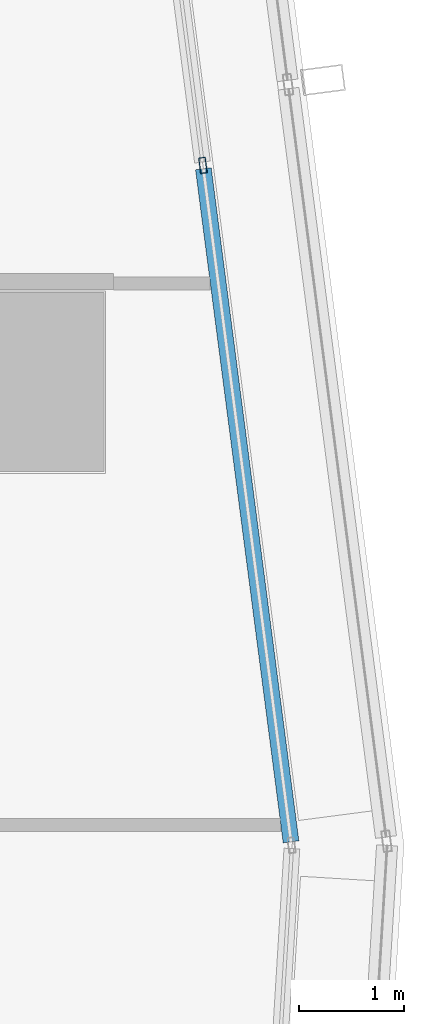
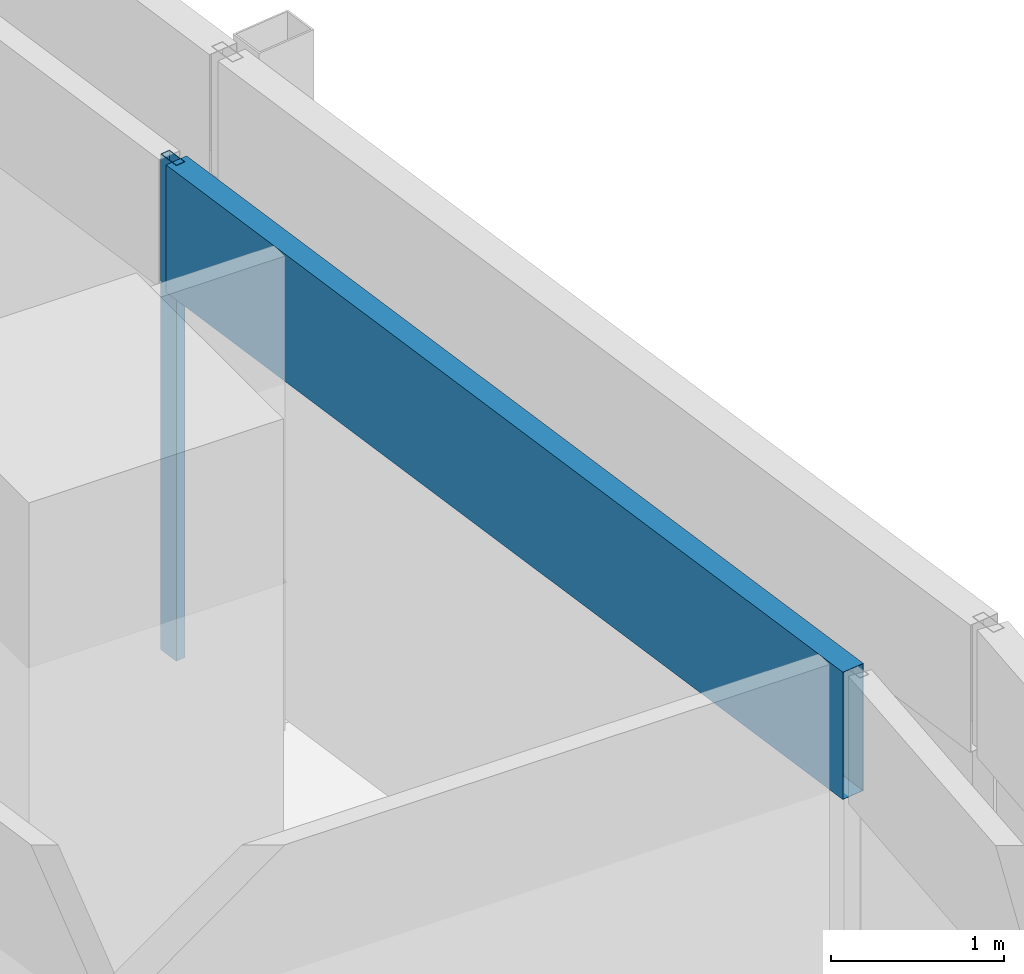
# One storey, part 18 of 38: 2 members, 1 element without a shape of its own.
"""IFC4 building model written with IfcOpenShell, lengths in metres."""

from ifc_helpers import new_model, si_unit, direction, frame, origin, origin_2d, place, context, subcontext, project, spatial, hollow_rectangle, extrude, material, material_profile, profile_set, type_object, element, aggregate, save


model = new_model("IFC4")

# Units and contexts
model_context = context("Model", 3, precision=1e-05, world=origin(), true_north=direction((0.0, 1.0)))
body_context = subcontext(model_context, "Body", "Model", "MODEL_VIEW")
ifc_project = project(units=[si_unit("LENGTHUNIT", "METRE"), si_unit("AREAUNIT", "SQUARE_METRE"), si_unit("VOLUMEUNIT", "CUBIC_METRE"), si_unit("PLANEANGLEUNIT", "RADIAN"), si_unit("MASSUNIT", "GRAM", prefix="KILO")], contexts=[model_context])

# Site, building, storey
site_placement = place(None, origin())
site = spatial("IfcSite", under=ifc_project, at=site_placement, CompositionType="ELEMENT")
building_placement = place(site_placement, origin())
building = spatial("IfcBuilding", under=site, at=building_placement, Name="Rekha Terrace Tower", CompositionType="ELEMENT")
storey_placement = place(building_placement, frame((0.0, 0.0, 114.050048828125)))
storey = spatial("IfcBuildingStorey", under=building, at=storey_placement, Name="L28", CompositionType="ELEMENT", Elevation=114.050048828125)

# Curtain wall, members
ifc_material_1 = material(Name="Aluminium framing", Category="aluminium")
curtain_wall_type = type_object("IfcCurtainWallType", Name="CW1 double skin inner glazing", PredefinedType="USERDEFINED", material=ifc_material_1)
curtain_wall_placement = place(storey_placement, origin())
curtain_wall = element("IfcCurtainWall", 1, at=curtain_wall_placement, inside=storey, type_object=curtain_wall_type, Name="CW1 double skin inner glazing", ObjectType="DOUBLE SKIN INNER GLAZING", PredefinedType="USERDEFINED")
ifc_material_2 = material(Name="Aluminium mullion section", Category="aluminium")
ifc_material_profile_1 = material_profile(ifc_material_2, hollow_rectangle(XDim=0.06494140625, YDim=0.14990234375, WallThickness=0.00390625, at=origin_2d()), Name="AL RHS 65x150")
ifc_profile_set_1 = profile_set([ifc_material_profile_1], Name="Aluminium mullion section")
member_type_1 = type_object("IfcMemberType", Name="CW1 mullion RHS 65 x 150", PredefinedType="MULLION", material=ifc_profile_set_1)
member_1_placement = place(storey_placement, frame((68.9912109375, 52.45751953125, 0.0), z_axis=(0.0, 0.0, 1.0), x_axis=(-0.991629186237, -0.129118383675, 0.0)))
member_1 = element("IfcMember", 2, at=member_1_placement, type_object=member_type_1, Name="CW1 mullion 2", PredefinedType="MULLION", context=body_context, shape_type="SweptSolid", body=[
    extrude(hollow_rectangle(XDim=0.06494140625, YDim=0.14990234375, WallThickness=0.00390625, at=origin_2d()), origin(), (0.0, 0.0, 1.0), 3.5),
])
ifc_material_3 = material(Name="Insulated aluminium spandrel box", Category="aluminium")
ifc_material_profile_2 = material_profile(ifc_material_3, hollow_rectangle(XDim=0.14990234375, YDim=0.89990234375, WallThickness=0.0029296875, at=origin_2d()), Name="AL SPANDREL BOX 150x900")
ifc_profile_set_2 = profile_set([ifc_material_profile_2], Name="Insulated aluminium spandrel box")
member_type_2 = type_object("IfcMemberType", Name="CW1 spandrel transom 150 x 900", PredefinedType="USERDEFINED", material=ifc_profile_set_2)
member_2_placement = place(storey_placement, frame((69.827392578125, 46.0361328125, 3.050048828125), z_axis=(-0.129135072997, 0.991627013005, 0.0), x_axis=(-0.991627013005, -0.129135072997, 0.0)))
member_2 = element("IfcMember", 3, at=member_2_placement, type_object=member_type_2, Name="CW1 spandrel transom 1", ObjectType="TRANSOM", PredefinedType="USERDEFINED", context=body_context, shape_type="SweptSolid", body=[
    extrude(hollow_rectangle(XDim=0.14990234375, YDim=0.89990234375, WallThickness=0.0029296875, at=origin_2d()), origin(), (0.0, 0.0, 1.0), 6.443115234375),
])
aggregate(curtain_wall, [member_1, member_2])

save(model, "model.ifc")
